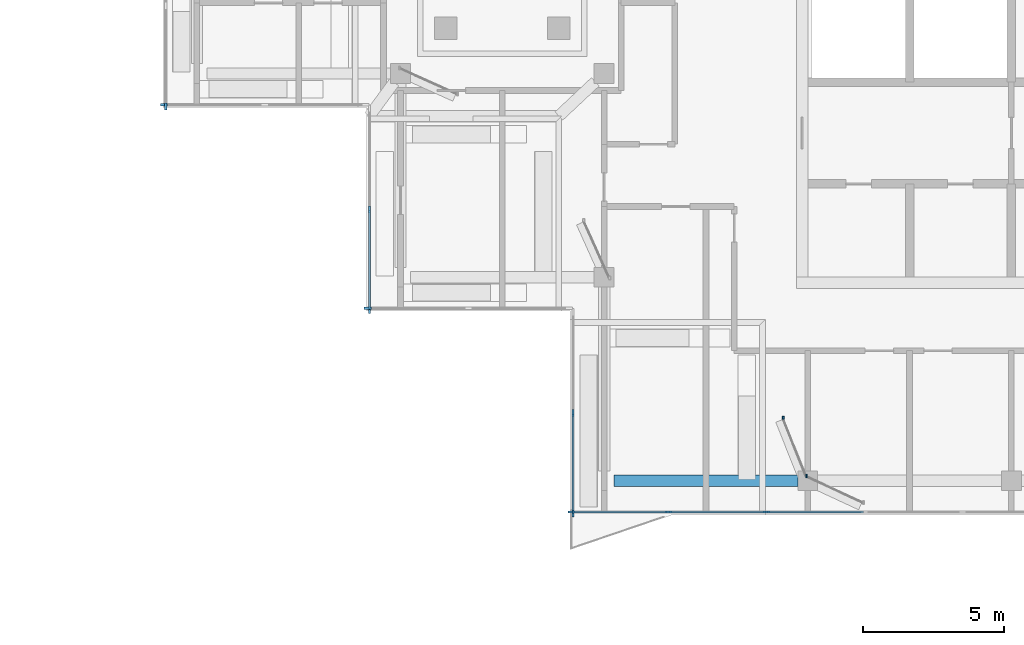
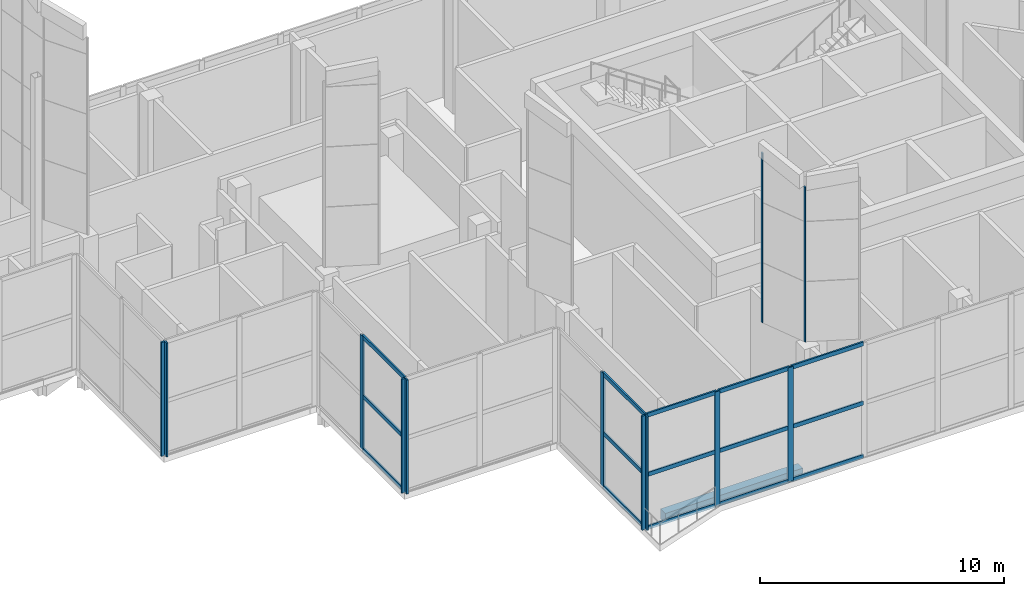
# One storey, part 2 of 19: 27 members, 1 beam, 8 elements without a shape of their own.
"""IFC4 building model written with IfcOpenShell, lengths in metres."""

from ifc_helpers import new_model, si_unit, direction, frame, origin, origin_2d, place, context, subcontext, project, spatial, rectangle, extrude, material, material_profile, profile_set, type_object, element, aggregate, save


model = new_model("IFC4")

# Units and contexts
model_context = context("Model", 3, precision=1e-05, world=origin(), true_north=direction((0.0, 1.0)))
body_context = subcontext(model_context, "Body", "Model", "MODEL_VIEW")
ifc_project = project(units=[si_unit("LENGTHUNIT", "METRE"), si_unit("AREAUNIT", "SQUARE_METRE"), si_unit("VOLUMEUNIT", "CUBIC_METRE"), si_unit("PLANEANGLEUNIT", "RADIAN"), si_unit("MASSUNIT", "GRAM", prefix="KILO")], contexts=[model_context])

# Site, building, storey
site_placement = place(None, origin())
site = spatial("IfcSite", under=ifc_project, at=site_placement, CompositionType="ELEMENT")
building_placement = place(site_placement, origin())
building = spatial("IfcBuilding", under=site, at=building_placement, Name="Windrow Commons", CompositionType="ELEMENT")
storey_placement = place(building_placement, frame((0.0, 0.0, 284.6)))
storey = spatial("IfcBuildingStorey", under=building, at=storey_placement, Name="L78", CompositionType="ELEMENT", Elevation=284.6)

# Curtain wall, member
ifc_material_1 = material(Name="Clear laminated glass in Aluminium 6063-T6 anodised frame", Category="aluminium")
curtain_wall_type_1 = type_object("IfcCurtainWallType", Name="Curtain wall CW3 damper floor", PredefinedType="USERDEFINED", material=ifc_material_1)
placement = place(storey_placement, origin())
curtain_wall_1 = element("IfcCurtainWall", 1, at=placement, inside=storey, type_object=curtain_wall_type_1, Name="Curtain wall CW3 L78 8", ObjectType="STRUCTURAL SILICONE", PredefinedType="USERDEFINED")
ifc_material_2 = material(Name="Aluminium 6063-T6", Category="aluminium")
ifc_material_profile_1 = material_profile(ifc_material_2, rectangle(XDim=0.08, YDim=0.25, at=origin_2d()))
ifc_profile_set_1 = profile_set([ifc_material_profile_1], Name="Aluminium 6063-T6")
member_type_1 = type_object("IfcMemberType", Name="CW3 mullion 80x250", PredefinedType="MULLION", material=ifc_profile_set_1)
member_1_placement = place(storey_placement, frame((34.9, 56.44, 0.0), z_axis=(0.0, 0.0, 1.0), x_axis=(1.0, 0.0, 0.0)))
member_1 = element("IfcMember", 2, at=member_1_placement, type_object=member_type_1, Name="CW3 mullion 3", PredefinedType="MULLION", context=body_context, shape_type="SweptSolid", body=[
    extrude(rectangle(XDim=0.08, YDim=0.25, at=origin_2d()), origin(), (0.0, 0.0, 1.0), 5.7),
])
aggregate(curtain_wall_1, [member_1])

curtain_wall_2 = element("IfcCurtainWall", 3, at=placement, inside=storey, type_object=curtain_wall_type_1, Name="Curtain wall CW3 L78 9", ObjectType="STRUCTURAL SILICONE", PredefinedType="USERDEFINED")
member_2_placement = place(storey_placement, frame((34.84, 56.5, 0.0), z_axis=(0.0, 0.0, 1.0), x_axis=(0.0, 1.0, 0.0)))
member_2 = element("IfcMember", 4, at=member_2_placement, type_object=member_type_1, Name="CW3 mullion 1", PredefinedType="MULLION", context=body_context, shape_type="SweptSolid", body=[
    extrude(rectangle(XDim=0.08, YDim=0.25, at=origin_2d()), origin(), (0.0, 0.0, 1.0), 5.7),
])
aggregate(curtain_wall_2, [member_2])

# Curtain wall, members
curtain_wall_3 = element("IfcCurtainWall", 5, at=placement, inside=storey, type_object=curtain_wall_type_1, Name="Curtain wall CW3 L78 10", ObjectType="STRUCTURAL SILICONE", PredefinedType="USERDEFINED")
member_3_placement = place(storey_placement, frame((42.1, 52.8, 0.0), z_axis=(0.0, 0.0, 1.0), x_axis=(1.0, 0.0, 0.0)))
member_3 = element("IfcMember", 6, at=member_3_placement, type_object=member_type_1, Name="CW3 mullion 2", PredefinedType="MULLION", context=body_context, shape_type="SweptSolid", body=[
    extrude(rectangle(XDim=0.08, YDim=0.25, at=origin_2d()), origin(), (0.0, 0.0, 1.0), 5.7),
])
member_4_placement = place(storey_placement, frame((42.1, 49.24, 0.0), z_axis=(0.0, 0.0, 1.0), x_axis=(1.0, 0.0, 0.0)))
member_4 = element("IfcMember", 7, at=member_4_placement, type_object=member_type_1, Name="CW3 mullion 3", PredefinedType="MULLION", context=body_context, shape_type="SweptSolid", body=[
    extrude(rectangle(XDim=0.08, YDim=0.25, at=origin_2d()), origin(), (0.0, 0.0, 1.0), 5.7),
])

# Curtain wall, member
curtain_wall_4 = element("IfcCurtainWall", 8, at=placement, inside=storey, type_object=curtain_wall_type_1, Name="Curtain wall CW3 L78 11", ObjectType="STRUCTURAL SILICONE", PredefinedType="USERDEFINED")
member_5_placement = place(storey_placement, frame((42.04, 49.3, 0.0), z_axis=(0.0, 0.0, 1.0), x_axis=(0.0, 1.0, 0.0)))
member_5 = element("IfcMember", 9, at=member_5_placement, type_object=member_type_1, Name="CW3 mullion 1", PredefinedType="MULLION", context=body_context, shape_type="SweptSolid", body=[
    extrude(rectangle(XDim=0.08, YDim=0.25, at=origin_2d()), origin(), (0.0, 0.0, 1.0), 5.7),
])
aggregate(curtain_wall_4, [member_5])

# Curtain wall, members
curtain_wall_5 = element("IfcCurtainWall", 10, at=placement, inside=storey, type_object=curtain_wall_type_1, Name="Curtain wall CW3 L78 12", ObjectType="STRUCTURAL SILICONE", PredefinedType="USERDEFINED")
member_6_placement = place(storey_placement, frame((49.3, 45.6, 0.0), z_axis=(0.0, 0.0, 1.0), x_axis=(1.0, 0.0, 0.0)))
member_6 = element("IfcMember", 11, at=member_6_placement, type_object=member_type_1, Name="CW3 mullion 2", PredefinedType="MULLION", context=body_context, shape_type="SweptSolid", body=[
    extrude(rectangle(XDim=0.08, YDim=0.25, at=origin_2d()), origin(), (0.0, 0.0, 1.0), 5.7),
])
member_7_placement = place(storey_placement, frame((49.3, 42.04, 0.0), z_axis=(0.0, 0.0, 1.0), x_axis=(1.0, 0.0, 0.0)))
member_7 = element("IfcMember", 12, at=member_7_placement, type_object=member_type_1, Name="CW3 mullion 3", PredefinedType="MULLION", context=body_context, shape_type="SweptSolid", body=[
    extrude(rectangle(XDim=0.08, YDim=0.25, at=origin_2d()), origin(), (0.0, 0.0, 1.0), 5.7),
])

curtain_wall_6 = element("IfcCurtainWall", 13, at=placement, inside=storey, type_object=curtain_wall_type_1, Name="Curtain wall CW3 L78 13", ObjectType="STRUCTURAL SILICONE", PredefinedType="USERDEFINED")
member_8_placement = place(storey_placement, frame((49.24, 42.1, 0.0), z_axis=(0.0, 0.0, 1.0), x_axis=(0.0, 1.0, 0.0)))
member_8 = element("IfcMember", 14, at=member_8_placement, type_object=member_type_1, Name="CW3 mullion 1", PredefinedType="MULLION", context=body_context, shape_type="SweptSolid", body=[
    extrude(rectangle(XDim=0.08, YDim=0.25, at=origin_2d()), origin(), (0.0, 0.0, 1.0), 5.7),
])
member_9_placement = place(storey_placement, frame((52.6695, 42.1, 0.0), z_axis=(0.0, 0.0, 1.0), x_axis=(0.0, 1.0, 0.0)))
member_9 = element("IfcMember", 15, at=member_9_placement, type_object=member_type_1, Name="CW3 mullion 2", PredefinedType="MULLION", context=body_context, shape_type="SweptSolid", body=[
    extrude(rectangle(XDim=0.08, YDim=0.25, at=origin_2d()), origin(), (0.0, 0.0, 1.0), 5.7),
])
member_10_placement = place(storey_placement, frame((56.139, 42.1, 0.0), z_axis=(0.0, 0.0, 1.0), x_axis=(0.0, 1.0, 0.0)))
member_10 = element("IfcMember", 16, at=member_10_placement, type_object=member_type_1, Name="CW3 mullion 3", PredefinedType="MULLION", context=body_context, shape_type="SweptSolid", body=[
    extrude(rectangle(XDim=0.08, YDim=0.25, at=origin_2d()), origin(), (0.0, 0.0, 1.0), 5.7),
])

# Member
ifc_material_3 = material(Name="Aluminium 6063-T6", Category="aluminium")
ifc_material_profile_2 = material_profile(ifc_material_3, rectangle(XDim=0.08, YDim=0.2, at=origin_2d()))
ifc_profile_set_2 = profile_set([ifc_material_profile_2], Name="Aluminium 6063-T6")
member_type_2 = type_object("IfcMemberType", Name="CW3 transom 80x200", PredefinedType="USERDEFINED", material=ifc_profile_set_2)
member_11_placement = place(storey_placement, frame((42.1, 52.76, 0.04), z_axis=(0.0, -1.0, 0.0), x_axis=(1.0, 0.0, 0.0)))
member_11 = element("IfcMember", 17, at=member_11_placement, type_object=member_type_2, Name="CW3 transom 2.1", ObjectType="TRANSOM", PredefinedType="USERDEFINED", context=body_context, shape_type="SweptSolid", body=[
    extrude(rectangle(XDim=0.08, YDim=0.2, at=origin_2d()), origin(), (0.0, 0.0, 1.0), 3.48),
])

member_12_placement = place(storey_placement, frame((42.1, 52.76, 2.7), z_axis=(0.0, -1.0, 0.0), x_axis=(1.0, 0.0, 0.0)))
member_12 = element("IfcMember", 18, at=member_12_placement, type_object=member_type_2, Name="CW3 transom 2.2", ObjectType="TRANSOM", PredefinedType="USERDEFINED", context=body_context, shape_type="SweptSolid", body=[
    extrude(rectangle(XDim=0.08, YDim=0.2, at=origin_2d()), origin(), (0.0, 0.0, 1.0), 3.48),
])

member_13_placement = place(storey_placement, frame((42.1, 52.76, 5.66), z_axis=(0.0, -1.0, 0.0), x_axis=(1.0, 0.0, 0.0)))
member_13 = element("IfcMember", 19, at=member_13_placement, type_object=member_type_2, Name="CW3 transom 2.3", ObjectType="TRANSOM", PredefinedType="USERDEFINED", context=body_context, shape_type="SweptSolid", body=[
    extrude(rectangle(XDim=0.08, YDim=0.2, at=origin_2d()), origin(), (0.0, 0.0, 1.0), 3.48),
])

aggregate(curtain_wall_3, [member_3, member_4, member_11, member_12, member_13])

member_14_placement = place(storey_placement, frame((49.3, 45.56, 0.04), z_axis=(0.0, -1.0, 0.0), x_axis=(1.0, 0.0, 0.0)))
member_14 = element("IfcMember", 20, at=member_14_placement, type_object=member_type_2, Name="CW3 transom 2.1", ObjectType="TRANSOM", PredefinedType="USERDEFINED", context=body_context, shape_type="SweptSolid", body=[
    extrude(rectangle(XDim=0.08, YDim=0.2, at=origin_2d()), origin(), (0.0, 0.0, 1.0), 3.48),
])

member_15_placement = place(storey_placement, frame((49.3, 45.56, 2.7), z_axis=(0.0, -1.0, 0.0), x_axis=(1.0, 0.0, 0.0)))
member_15 = element("IfcMember", 21, at=member_15_placement, type_object=member_type_2, Name="CW3 transom 2.2", ObjectType="TRANSOM", PredefinedType="USERDEFINED", context=body_context, shape_type="SweptSolid", body=[
    extrude(rectangle(XDim=0.08, YDim=0.2, at=origin_2d()), origin(), (0.0, 0.0, 1.0), 3.48),
])

member_16_placement = place(storey_placement, frame((49.3, 45.56, 5.66), z_axis=(0.0, -1.0, 0.0), x_axis=(1.0, 0.0, 0.0)))
member_16 = element("IfcMember", 22, at=member_16_placement, type_object=member_type_2, Name="CW3 transom 2.3", ObjectType="TRANSOM", PredefinedType="USERDEFINED", context=body_context, shape_type="SweptSolid", body=[
    extrude(rectangle(XDim=0.08, YDim=0.2, at=origin_2d()), origin(), (0.0, 0.0, 1.0), 3.48),
])

aggregate(curtain_wall_5, [member_6, member_7, member_14, member_15, member_16])

member_17_placement = place(storey_placement, frame((49.28, 42.1, 0.04), z_axis=(1.0, 0.0, 0.0), x_axis=(0.0, 1.0, 0.0)))
member_17 = element("IfcMember", 23, at=member_17_placement, type_object=member_type_2, Name="CW3 transom 1.1", ObjectType="TRANSOM", PredefinedType="USERDEFINED", context=body_context, shape_type="SweptSolid", body=[
    extrude(rectangle(XDim=0.08, YDim=0.2, at=origin_2d()), origin(), (0.0, 0.0, 1.0), 3.3495),
])

member_18_placement = place(storey_placement, frame((49.28, 42.1, 2.7), z_axis=(1.0, 0.0, 0.0), x_axis=(0.0, 1.0, 0.0)))
member_18 = element("IfcMember", 24, at=member_18_placement, type_object=member_type_2, Name="CW3 transom 1.2", ObjectType="TRANSOM", PredefinedType="USERDEFINED", context=body_context, shape_type="SweptSolid", body=[
    extrude(rectangle(XDim=0.08, YDim=0.2, at=origin_2d()), origin(), (0.0, 0.0, 1.0), 3.3495),
])

member_19_placement = place(storey_placement, frame((49.28, 42.1, 5.66), z_axis=(1.0, 0.0, 0.0), x_axis=(0.0, 1.0, 0.0)))
member_19 = element("IfcMember", 25, at=member_19_placement, type_object=member_type_2, Name="CW3 transom 1.3", ObjectType="TRANSOM", PredefinedType="USERDEFINED", context=body_context, shape_type="SweptSolid", body=[
    extrude(rectangle(XDim=0.08, YDim=0.2, at=origin_2d()), origin(), (0.0, 0.0, 1.0), 3.3495),
])

member_20_placement = place(storey_placement, frame((52.7095, 42.1, 0.04), z_axis=(1.0, 0.0, 0.0), x_axis=(0.0, 1.0, 0.0)))
member_20 = element("IfcMember", 26, at=member_20_placement, type_object=member_type_2, Name="CW3 transom 2.1", ObjectType="TRANSOM", PredefinedType="USERDEFINED", context=body_context, shape_type="SweptSolid", body=[
    extrude(rectangle(XDim=0.08, YDim=0.2, at=origin_2d()), origin(), (0.0, 0.0, 1.0), 3.3895),
])

member_21_placement = place(storey_placement, frame((52.7095, 42.1, 2.7), z_axis=(1.0, 0.0, 0.0), x_axis=(0.0, 1.0, 0.0)))
member_21 = element("IfcMember", 27, at=member_21_placement, type_object=member_type_2, Name="CW3 transom 2.2", ObjectType="TRANSOM", PredefinedType="USERDEFINED", context=body_context, shape_type="SweptSolid", body=[
    extrude(rectangle(XDim=0.08, YDim=0.2, at=origin_2d()), origin(), (0.0, 0.0, 1.0), 3.3895),
])

member_22_placement = place(storey_placement, frame((52.7095, 42.1, 5.66), z_axis=(1.0, 0.0, 0.0), x_axis=(0.0, 1.0, 0.0)))
member_22 = element("IfcMember", 28, at=member_22_placement, type_object=member_type_2, Name="CW3 transom 2.3", ObjectType="TRANSOM", PredefinedType="USERDEFINED", context=body_context, shape_type="SweptSolid", body=[
    extrude(rectangle(XDim=0.08, YDim=0.2, at=origin_2d()), origin(), (0.0, 0.0, 1.0), 3.3895),
])

member_23_placement = place(storey_placement, frame((56.179, 42.1, 0.04), z_axis=(1.0, 0.0, 0.0), x_axis=(0.0, 1.0, 0.0)))
member_23 = element("IfcMember", 29, at=member_23_placement, type_object=member_type_2, Name="CW3 transom 3.1", ObjectType="TRANSOM", PredefinedType="USERDEFINED", context=body_context, shape_type="SweptSolid", body=[
    extrude(rectangle(XDim=0.08, YDim=0.2, at=origin_2d()), origin(), (0.0, 0.0, 1.0), 3.3895),
])

member_24_placement = place(storey_placement, frame((56.179, 42.1, 2.7), z_axis=(1.0, 0.0, 0.0), x_axis=(0.0, 1.0, 0.0)))
member_24 = element("IfcMember", 30, at=member_24_placement, type_object=member_type_2, Name="CW3 transom 3.2", ObjectType="TRANSOM", PredefinedType="USERDEFINED", context=body_context, shape_type="SweptSolid", body=[
    extrude(rectangle(XDim=0.08, YDim=0.2, at=origin_2d()), origin(), (0.0, 0.0, 1.0), 3.3895),
])

member_25_placement = place(storey_placement, frame((56.179, 42.1, 5.66), z_axis=(1.0, 0.0, 0.0), x_axis=(0.0, 1.0, 0.0)))
member_25 = element("IfcMember", 31, at=member_25_placement, type_object=member_type_2, Name="CW3 transom 3.3", ObjectType="TRANSOM", PredefinedType="USERDEFINED", context=body_context, shape_type="SweptSolid", body=[
    extrude(rectangle(XDim=0.08, YDim=0.2, at=origin_2d()), origin(), (0.0, 0.0, 1.0), 3.3895),
])

aggregate(curtain_wall_6, [member_8, member_9, member_10, member_17, member_18, member_19, member_20, member_21, member_22, member_23, member_24, member_25])

# Curtain wall, member
ifc_material_4 = material(Name="Laminated glass in anodised aluminium frame", Category="aluminium")
curtain_wall_type_2 = type_object("IfcCurtainWallType", Name="Curtain wall crown terrace screen", PredefinedType="USERDEFINED", material=ifc_material_4)
curtain_wall_7 = element("IfcCurtainWall", 32, at=placement, inside=storey, type_object=curtain_wall_type_2, Name="Glazed crown screen L78", ObjectType="STICK", PredefinedType="USERDEFINED")
ifc_material_5 = material(Name="Anodised aluminium", Category="aluminium")
ifc_material_profile_3 = material_profile(ifc_material_5, rectangle(XDim=0.06, YDim=0.12, at=origin_2d()))
ifc_profile_set_3 = profile_set([ifc_material_profile_3], Name="Anodised aluminium")
member_type_3 = type_object("IfcMemberType", Name="Crown screen mullion 60x120", PredefinedType="MULLION", material=ifc_profile_set_3)
member_26_placement = place(storey_placement, frame((57.5519, 43.3636, 5.7), z_axis=(0.0, 0.0, 1.0), x_axis=(1.0, 0.0, 0.0)))
member_26 = element("IfcMember", 33, at=member_26_placement, type_object=member_type_3, Name="Crown screen mullion L78", PredefinedType="MULLION", context=body_context, shape_type="SweptSolid", body=[
    extrude(rectangle(XDim=0.06, YDim=0.12, at=origin_2d()), origin(), (0.0, 0.0, 1.0), 7.7348),
])
aggregate(curtain_wall_7, [member_26])

curtain_wall_8 = element("IfcCurtainWall", 34, at=placement, inside=storey, type_object=curtain_wall_type_2, Name="Glazed crown screen L78", ObjectType="STICK", PredefinedType="USERDEFINED")
member_27_placement = place(storey_placement, frame((56.73, 45.4288, 5.7), z_axis=(0.0, 0.0, 1.0), x_axis=(1.0, 0.0, 0.0)))
member_27 = element("IfcMember", 35, at=member_27_placement, type_object=member_type_3, Name="Crown screen mullion L78", PredefinedType="MULLION", context=body_context, shape_type="SweptSolid", body=[
    extrude(rectangle(XDim=0.06, YDim=0.12, at=origin_2d()), origin(), (0.0, 0.0, 1.0), 8.4763),
])
aggregate(curtain_wall_8, [member_27])

# Beam
ifc_material_6 = material(Name="Concrete C40/50", Category="concrete")
ifc_material_profile_4 = material_profile(ifc_material_6, rectangle(XDim=0.4, YDim=0.5, at=origin_2d()))
ifc_profile_set_4 = profile_set([ifc_material_profile_4], Name="Concrete C40/50")
beam_type = type_object("IfcBeamType", Name="RC EDGE BEAM 400x500 C40/50", PredefinedType="SPANDREL", material=ifc_profile_set_4)
beam_placement = place(storey_placement, frame((57.25, 43.2, -0.55), z_axis=(-1.0, 0.0, 0.0), x_axis=(0.0, -1.0, 0.0)))
element("IfcBeam", 36, at=beam_placement, inside=storey, type_object=beam_type, Name="Edge beam L78 001", PredefinedType="SPANDREL", context=body_context, shape_type="SweptSolid", body=[
    extrude(rectangle(XDim=0.4, YDim=0.5, at=origin_2d()), origin(), (0.0, 0.0, 1.0), 6.5),
])

save(model, "model.ifc")
